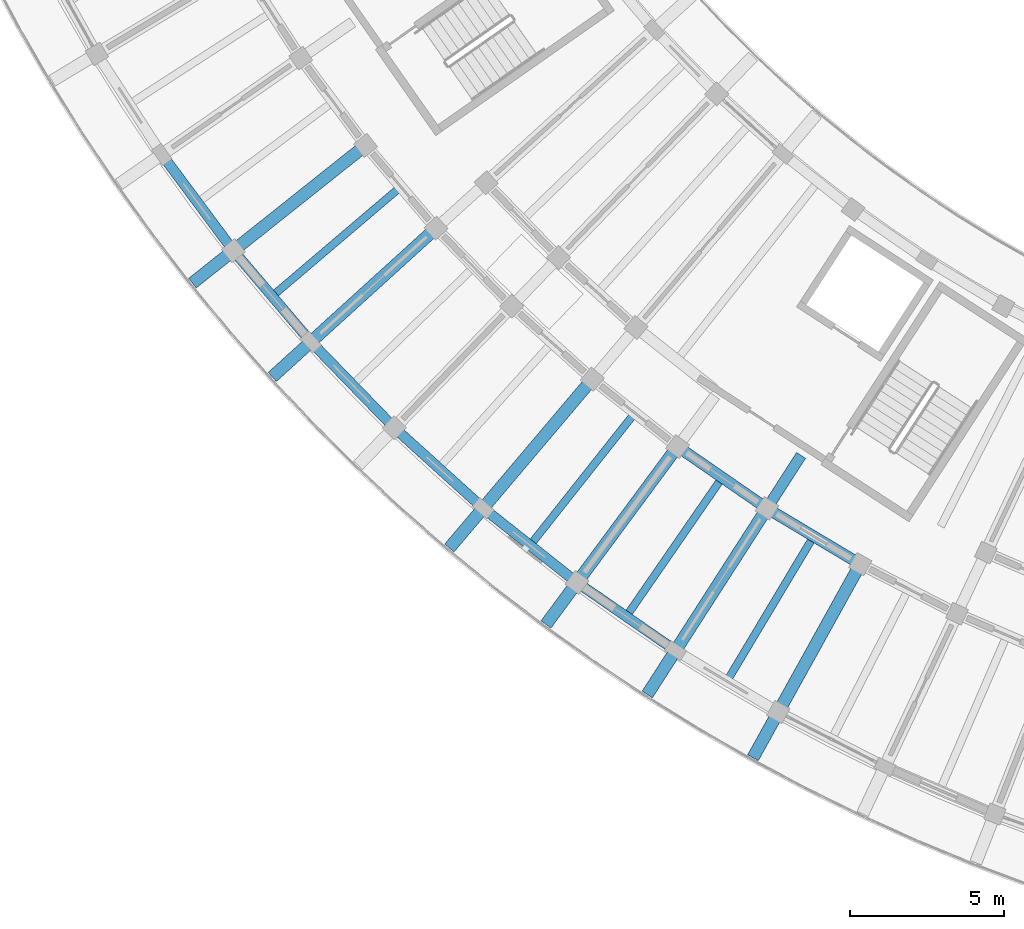
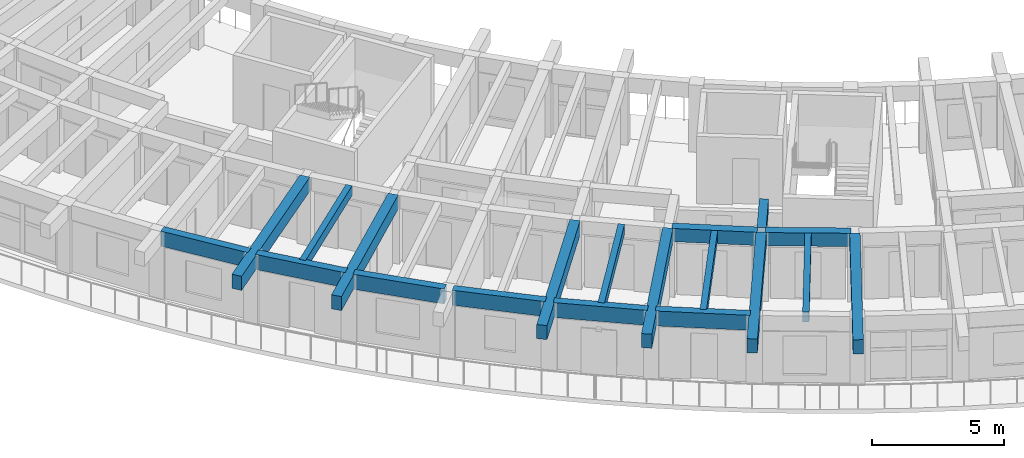
# One storey, part 4 of 96: 19 beams.
"""IFC4 building model written with IfcOpenShell, lengths in metres."""

from ifc_helpers import new_model, si_unit, direction, frame, origin, origin_2d, place, context, subcontext, project, spatial, rectangle, extrude, material, material_profile, profile_set, type_object, element, save


model = new_model("IFC4")

# Units and contexts
model_context = context("Model", 3, precision=1e-05, world=origin(), true_north=direction((0.0, 1.0)))
body_context = subcontext(model_context, "Body", "Model", "MODEL_VIEW")
ifc_project = project(units=[si_unit("LENGTHUNIT", "METRE"), si_unit("AREAUNIT", "SQUARE_METRE"), si_unit("VOLUMEUNIT", "CUBIC_METRE"), si_unit("PLANEANGLEUNIT", "RADIAN"), si_unit("MASSUNIT", "GRAM", prefix="KILO")], contexts=[model_context])

# Site, building, storey
site_placement = place(None, origin())
site = spatial("IfcSite", under=ifc_project, at=site_placement, CompositionType="ELEMENT")
building_placement = place(site_placement, origin())
building = spatial("IfcBuilding", under=site, at=building_placement, Name="Tanwirah Colonnade Gardens", CompositionType="ELEMENT")
storey_placement = place(building_placement, frame((0.0, 0.0, 12.199951171875)))
storey = spatial("IfcBuildingStorey", under=building, at=storey_placement, Name="L03", CompositionType="ELEMENT", Elevation=12.199951171875)

# Beams
ifc_material_1 = material(Name="Precast concrete C40/50", Category="concrete")
ifc_material_profile_1 = material_profile(ifc_material_1, rectangle(XDim=0.360107421875, YDim=0.610107421875, at=origin_2d()), Name="PC-BM 360x610")
ifc_profile_set_1 = profile_set([ifc_material_profile_1], Name="Precast concrete C40/50")
beam_type_1 = type_object("IfcBeamType", Name="BM-PC300", PredefinedType="BEAM", material=ifc_profile_set_1)
beam_1_placement = place(storey_placement, frame((32.97314453125, 20.96630859375, 2.800048828125), z_axis=(0.822889344221, -0.568201660651, 0.0), x_axis=(0.568201660651, 0.822889344221, 0.0)))
element("IfcBeam", 1, at=beam_1_placement, inside=storey, type_object=beam_type_1, Name="Block C L03 Circumferential Beam 10-R2", PredefinedType="BEAM", context=body_context, shape_type="SweptSolid", body=[
    extrude(rectangle(XDim=0.360107421875, YDim=0.610107421875, at=origin_2d()), origin(), (0.0, 0.0, 1.0), 3.237060546875),
])
beam_2_placement = place(storey_placement, frame((35.88916015625, 18.96484375, 2.800048828125), z_axis=(0.858270604513, -0.513197398111, 0.0), x_axis=(0.513197398111, 0.858270604513, 0.0)))
element("IfcBeam", 2, at=beam_2_placement, inside=storey, type_object=beam_type_1, Name="Block C L03 Circumferential Beam 11-R2", PredefinedType="BEAM", context=body_context, shape_type="SweptSolid", body=[
    extrude(rectangle(XDim=0.360107421875, YDim=0.610107421875, at=origin_2d()), origin(), (0.0, 0.0, 1.0), 3.23681640625),
])
ifc_material_profile_2 = material_profile(ifc_material_1, rectangle(XDim=0.35009765625, YDim=0.550048828125, at=origin_2d()), Name="PC-BM 350x550")
ifc_profile_set_2 = profile_set([ifc_material_profile_2], Name="Precast concrete C40/50")
beam_type_2 = type_object("IfcBeamType", Name="BM-PC350A", PredefinedType="BEAM", material=ifc_profile_set_2)
beam_3_placement = place(storey_placement, frame((36.869384765625, 20.765869140625, 2.830078125), z_axis=(-0.540984881989, -0.841032316537, 0.0), x_axis=(0.841032316537, -0.540984881989, 0.0)))
element("IfcBeam", 3, at=beam_3_placement, inside=storey, type_object=beam_type_2, Name="Block C L03 Corridor Tie Beam 11", PredefinedType="BEAM", context=body_context, shape_type="SweptSolid", body=[
    extrude(rectangle(XDim=0.35009765625, YDim=0.550048828125, at=origin_2d()), origin(), (0.0, 0.0, 1.0), 1.89990234375),
])
ifc_material_2 = material(Name="Precast concrete C45/55", Category="concrete")
ifc_material_profile_3 = material_profile(ifc_material_2, rectangle(XDim=0.39990234375, YDim=0.64990234375, at=origin_2d()), Name="PC-BM 400x650")
ifc_profile_set_3 = profile_set([ifc_material_profile_3], Name="Precast concrete C45/55")
beam_type_3 = type_object("IfcBeamType", Name="BM-PC400", PredefinedType="BEAM", material=ifc_profile_set_3)
for number, where, z_axis, x_axis, name in (
    (4, (22.58251953125, 30.759765625, 2.780029296875), (-0.782609106384, -0.622513442911, 0.0), (0.622513442911, -0.782609106384, 0.0), "Block C L03 Outer Radial Precast Girder 6"),
    (5, (24.880126953125, 28.0576171875, 2.780029296875), (-0.740229899169, -0.672353847596, 0.0), (0.672353847596, -0.740229899169, 0.0), "Block C L03 Outer Radial Precast Girder 7"),
):
    element("IfcBeam", number, at=place(storey_placement, frame(where, z_axis=z_axis, x_axis=x_axis)), inside=storey, type_object=beam_type_3, Name=name, PredefinedType="BEAM", context=body_context, shape_type="SweptSolid", body=[
        extrude(rectangle(XDim=0.39990234375, YDim=0.64990234375, at=origin_2d()), origin(), (0.0, 0.0, 1.0), 7.0498046875),
    ])
for number, where, z_axis, x_axis, name in (
    (6, (29.97998046875, 23.1328125, 2.780029296875), (-0.646119193339, -0.763236521663, 0.0), (0.763236521663, -0.646119193339, 0.0), "Block C L03 Outer Radial Precast Girder 9"),
    (7, (32.760498046875, 20.930908203125, 2.780029296875), (-0.594806754627, -0.803868723518, 0.0), (0.803868723518, -0.594806754627, 0.0), "Block C L03 Outer Radial Precast Girder 10"),
    (8, (35.67919921875, 18.915771484375, 2.780029296875), (-0.540976349149, -0.841037805132, 0.0), (0.841037805132, -0.540976349149, 0.0), "Block C L03 Outer Radial Precast Girder 11"),
):
    element("IfcBeam", number, at=place(storey_placement, frame(where, z_axis=z_axis, x_axis=x_axis)), inside=storey, type_object=beam_type_3, Name=name, PredefinedType="BEAM", context=body_context, shape_type="SweptSolid", body=[
        extrude(rectangle(XDim=0.39990234375, YDim=0.64990234375, at=origin_2d()), origin(), (0.0, 0.0, 1.0), 7.050048828125),
    ])
beam_4_placement = place(storey_placement, frame((38.723388671875, 17.095703125, 2.780029296875), z_axis=(-0.484804753745, -0.874622404667, 0.0), x_axis=(0.874622404667, -0.484804753745, 0.0)))
element("IfcBeam", 9, at=beam_4_placement, inside=storey, type_object=beam_type_3, Name="Block C L03 Outer Radial Precast Girder 12", PredefinedType="BEAM", context=body_context, shape_type="SweptSolid", body=[
    extrude(rectangle(XDim=0.39990234375, YDim=0.64990234375, at=origin_2d()), origin(), (0.0, 0.0, 1.0), 7.05029296875),
])
ifc_material_profile_4 = material_profile(ifc_material_1, rectangle(XDim=0.25, YDim=0.449951171875, at=origin_2d()), Name="PC-JST 250x450")
ifc_profile_set_4 = profile_set([ifc_material_profile_4], Name="Precast concrete C40/50")
beam_type_4 = type_object("IfcBeamType", Name="JST-PC250", PredefinedType="JOIST", material=ifc_profile_set_4)
for number, where, z_axis, x_axis, name in (
    (10, (23.732177734375, 29.409423828125, 2.880126953125), (-0.761803021124, -0.647808734895, 0.0), (0.647808734895, -0.761803021124, 0.0), "Block C L03 Precast Floor Joist 6"),
    (11, (31.370849609375, 22.03271484375, 2.880126953125), (-0.620787347885, -0.783978997617, 0.0), (0.783978997617, -0.620787347885, 0.0), "Block C L03 Precast Floor Joist 9"),
    (12, (34.220458984375, 19.924072265625, 2.880126953125), (-0.56820792868, -0.822885016138, 0.0), (0.822885016138, -0.56820792868, 0.0), "Block C L03 Precast Floor Joist 10"),
    (13, (37.20166015625, 18.006591796875, 2.880126953125), (-0.513157303227, -0.858294577721, 0.0), (0.858294577721, -0.513157303227, 0.0), "Block C L03 Precast Floor Joist 11"),
):
    element("IfcBeam", number, at=place(storey_placement, frame(where, z_axis=z_axis, x_axis=x_axis)), inside=storey, type_object=beam_type_4, Name=name, PredefinedType="JOIST", context=body_context, shape_type="SweptSolid", body=[
        extrude(rectangle(XDim=0.25, YDim=0.449951171875, at=origin_2d()), origin(), (0.0, 0.0, 1.0), 5.260009765625),
    ])
ifc_material_profile_5 = material_profile(ifc_material_1, rectangle(XDim=0.330078125, YDim=0.68994140625, at=origin_2d()), Name="PC-SP 330x690")
ifc_profile_set_5 = profile_set([ifc_material_profile_5], Name="Precast concrete C40/50")
beam_type_5 = type_object("IfcBeamType", Name="SP-PC280", PredefinedType="SPANDREL", material=ifc_profile_set_5)
beam_5_placement = place(storey_placement, frame((16.160400390625, 30.436279296875, 2.760009765625), z_axis=(0.596562665898, -0.802566499212, 0.0), x_axis=(0.802566499212, 0.596562665898, 0.0)))
element("IfcBeam", 14, at=beam_5_placement, inside=storey, type_object=beam_type_5, Name="Block C L03 Circumferential Beam 5-R3", PredefinedType="SPANDREL", context=body_context, shape_type="SweptSolid", body=[
    extrude(rectangle(XDim=0.330078125, YDim=0.68994140625, at=origin_2d()), origin(), (0.0, 0.0, 1.0), 3.596923828125),
])
for number, where, z_axis, x_axis, name in (
    (15, (18.492919921875, 27.31494140625, 2.760009765625), (0.647784367984, -0.76182374116, 0.0), (0.76182374116, 0.647784367984, 0.0), "Block C L03 Circumferential Beam 6-R3"),
    (16, (21.0244140625, 24.352783203125, 2.760009765625), (0.696231699401, -0.717817122079, 0.0), (0.717817122079, 0.696231699401, 0.0), "Block C L03 Circumferential Beam 7-R3"),
):
    element("IfcBeam", number, at=place(storey_placement, frame(where, z_axis=z_axis, x_axis=x_axis)), inside=storey, type_object=beam_type_5, Name=name, PredefinedType="SPANDREL", context=body_context, shape_type="SweptSolid", body=[
        extrude(rectangle(XDim=0.330078125, YDim=0.68994140625, at=origin_2d()), origin(), (0.0, 0.0, 1.0), 3.5966796875),
    ])
for number, where, z_axis, x_axis, name in (
    (17, (23.744384765625, 21.562744140625, 2.760009765625), (0.741682092868, -0.670751573325, 0.0), (0.670751573325, 0.741682092868, 0.0), "Block C L03 Circumferential Beam 8-R3"),
    (18, (26.640869140625, 18.956298828125, 2.760009765625), (0.783971495357, -0.620796822211, 0.0), (0.620796822211, 0.783971495357, 0.0), "Block C L03 Circumferential Beam 9-R3"),
    (19, (29.70166015625, 16.545166015625, 2.760009765625), (0.822907478943, -0.568175396423, 0.0), (0.568175396423, 0.822907478943, 0.0), "Block C L03 Circumferential Beam 10-R3"),
):
    element("IfcBeam", number, at=place(storey_placement, frame(where, z_axis=z_axis, x_axis=x_axis)), inside=storey, type_object=beam_type_5, Name=name, PredefinedType="SPANDREL", context=body_context, shape_type="SweptSolid", body=[
        extrude(rectangle(XDim=0.330078125, YDim=0.68994140625, at=origin_2d()), origin(), (0.0, 0.0, 1.0), 3.596923828125),
    ])

save(model, "model.ifc")
